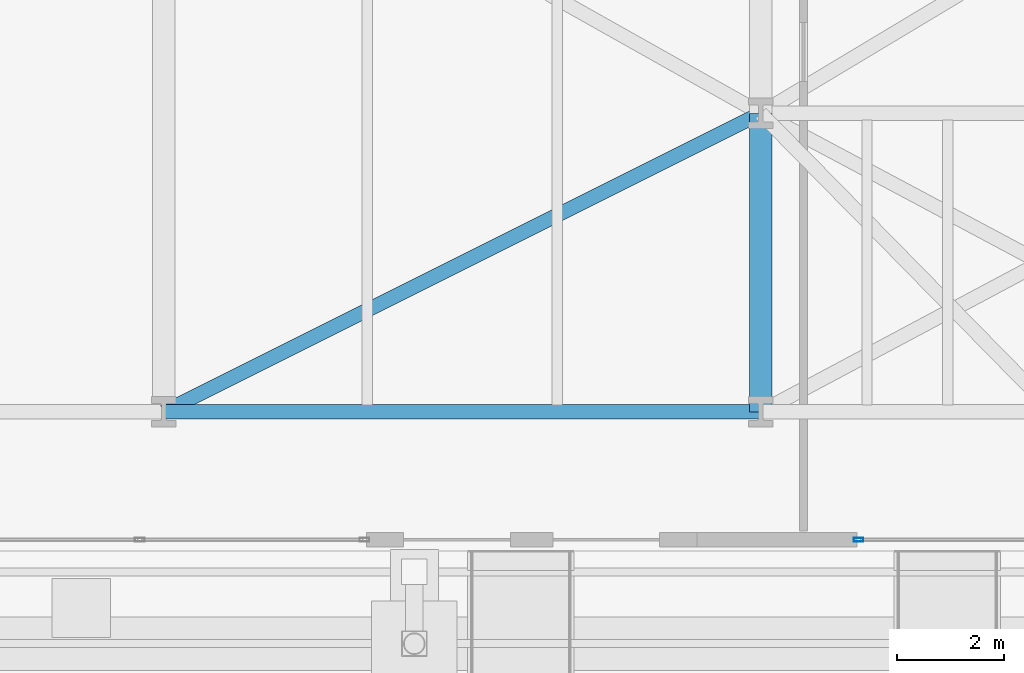
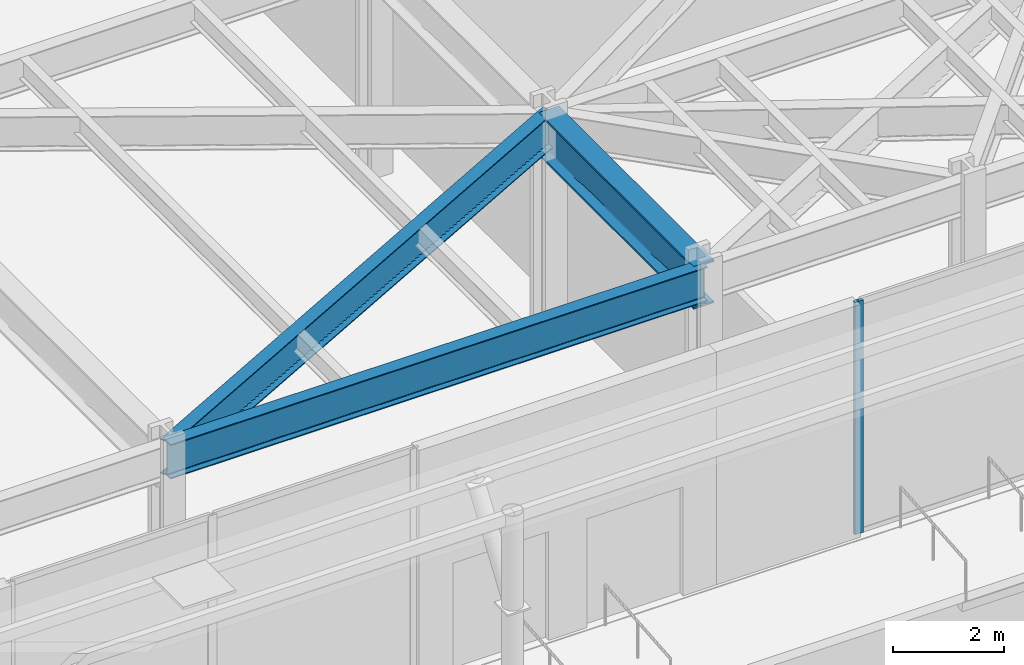
# One storey, part 16 of 31: 3 beams, 1 member, 1 element without a shape of its own.
"""IFC4 building model written with IfcOpenShell, lengths in metres."""

from ifc_helpers import new_model, si_unit, direction, frame, origin, origin_2d, place, context, subcontext, project, spatial, hollow_rectangle, i_section, extrude, material, layer, layer_set, material_profile, profile_set, type_object, element, aggregate, save


model = new_model("IFC4")

# Units and contexts
model_context = context("Model", 3, precision=1e-05, world=origin(), true_north=direction((0.0, 1.0)))
body_context = subcontext(model_context, "Body", "Model", "MODEL_VIEW")
ifc_project = project(units=[si_unit("LENGTHUNIT", "METRE"), si_unit("AREAUNIT", "SQUARE_METRE"), si_unit("VOLUMEUNIT", "CUBIC_METRE"), si_unit("PLANEANGLEUNIT", "RADIAN"), si_unit("MASSUNIT", "GRAM", prefix="KILO")], contexts=[model_context])

# Site, building, storey
site_placement = place(None, origin())
site = spatial("IfcSite", under=ifc_project, at=site_placement, CompositionType="ELEMENT")
building_placement = place(site_placement, origin())
building = spatial("IfcBuilding", under=site, at=building_placement, Name="Kravanh Interchange Tower", CompositionType="ELEMENT")
storey_placement = place(building_placement, origin())
storey = spatial("IfcBuildingStorey", under=building, at=storey_placement, Name="L00", CompositionType="ELEMENT", Elevation=0.0)

# Curtain wall, member
ifc_material_1 = material(Name="Anodised Bronze Aluminium", Category="aluminium")
ifc_layer = layer(ifc_material_1, 0.179931640625)
ifc_layer_set = layer_set([ifc_layer], Name="Unitised Curtain Wall System CW-POD Podium Concourse")
curtain_wall_type = type_object("IfcCurtainWallType", Name="Unitised Curtain Wall System CW-POD Podium Concourse", PredefinedType="NOTDEFINED", material=ifc_layer_set)
curtain_wall_placement = place(storey_placement, origin())
curtain_wall = element("IfcCurtainWall", 1, at=curtain_wall_placement, inside=storey, type_object=curtain_wall_type, Name="L00 Unitised Curtain Wall CW-L00-03", PredefinedType="NOTDEFINED")
ifc_material_2 = material(Name="Anodised Bronze Aluminium", Category="aluminium")
ifc_material_profile_1 = material_profile(ifc_material_2, hollow_rectangle(XDim=0.070068359375, YDim=0.179931640625, WallThickness=0.00390625, at=origin_2d()), Name="ALU70X180X4")
ifc_profile_set_1 = profile_set([ifc_material_profile_1], Name="Anodised Bronze Aluminium")
member_type = type_object("IfcMemberType", Name="Curtain Wall Mullion ALU70X180X4 Bronze", PredefinedType="MULLION", material=ifc_profile_set_1)
member_placement = place(storey_placement, frame((57.8349609375, 0.199951171875, 0.0), z_axis=(0.0, 0.0, 1.0), x_axis=(0.0, 1.0, 0.0)))
member = element("IfcMember", 2, at=member_placement, type_object=member_type, Name="CW-POD mullion 1", PredefinedType="MULLION", context=body_context, shape_type="SweptSolid", body=[
    extrude(hollow_rectangle(XDim=0.070068359375, YDim=0.179931640625, WallThickness=0.00390625, at=origin_2d()), origin(), (0.0, 0.0, 1.0), 5.1298828125),
])
aggregate(curtain_wall, [member])

# Beams
ifc_material_3 = material(Name="Structural Steel S450", Category="steel")
ifc_material_profile_2 = material_profile(ifc_material_3, i_section(OverallWidth=0.423095703125, OverallDepth=0.947998046875, WebThickness=0.02392578125, FlangeThickness=0.042724609375, FilletRadius=0.028076171875, at=origin_2d()), Name="W36X302")
ifc_profile_set_2 = profile_set([ifc_material_profile_2], Name="Structural Steel S450")
beam_type_1 = type_object("IfcBeamType", Name="Floor Beam W36X302 Structural Steel S450", PredefinedType="BEAM", material=ifc_profile_set_2)
beam_1_placement = place(storey_placement, frame((56.0, 2.60009765625, 4.656005859375), z_axis=(0.0, 1.0, 0.0), x_axis=(-1.0, 0.0, 0.0)))
element("IfcBeam", 3, at=beam_1_placement, inside=storey, type_object=beam_type_1, Name="L00 Primary Floor Girder 14", PredefinedType="BEAM", context=body_context, shape_type="SweptSolid", body=[
    extrude(i_section(OverallWidth=0.423095703125, OverallDepth=0.947998046875, WebThickness=0.02392578125, FlangeThickness=0.042724609375, FilletRadius=0.028076171875, at=origin_2d()), origin(), (0.0, 0.0, 1.0), 5.599853515625),
])
ifc_material_4 = material(Name="Structural Steel S355", Category="steel")
ifc_material_profile_3 = material_profile(ifc_material_4, i_section(OverallWidth=0.26708984375, OverallDepth=0.761962890625, WebThickness=0.014404296875, FlangeThickness=0.021484375, FilletRadius=0.02490234375, at=origin_2d()), Name="W30X116")
ifc_profile_set_3 = profile_set([ifc_material_profile_3], Name="Structural Steel S355")
beam_type_2 = type_object("IfcBeamType", Name="Floor Spandrel W30X116 Structural Steel S355", PredefinedType="SPANDREL", material=ifc_profile_set_3)
beam_2_placement = place(storey_placement, frame((44.800048828125, 2.60009765625, 4.7490234375), z_axis=(1.0, 0.0, 0.0), x_axis=(0.0, 1.0, 0.0)))
element("IfcBeam", 4, at=beam_2_placement, inside=storey, type_object=beam_type_2, Name="L00 Perimeter Spandrel 10", PredefinedType="SPANDREL", context=body_context, shape_type="SweptSolid", body=[
    extrude(i_section(OverallWidth=0.26708984375, OverallDepth=0.761962890625, WebThickness=0.014404296875, FlangeThickness=0.021484375, FilletRadius=0.02490234375, at=origin_2d()), origin(), (0.0, 0.0, 1.0), 11.199951171875),
])
beam_3_placement = place(storey_placement, frame((44.800048828125, 2.60009765625, 4.7490234375), z_axis=(0.894431090393, 0.447205796629, 0.0), x_axis=(-0.447205796629, 0.894431090393, 0.0)))
element("IfcBeam", 5, at=beam_3_placement, inside=storey, type_object=beam_type_2, Name="L00 Perimeter Spandrel 12", PredefinedType="SPANDREL", context=body_context, shape_type="SweptSolid", body=[
    extrude(i_section(OverallWidth=0.26708984375, OverallDepth=0.761962890625, WebThickness=0.014404296875, FlangeThickness=0.021484375, FilletRadius=0.02490234375, at=origin_2d()), origin(), (0.0, 0.0, 1.0), 12.52197265625),
])

save(model, "model.ifc")
